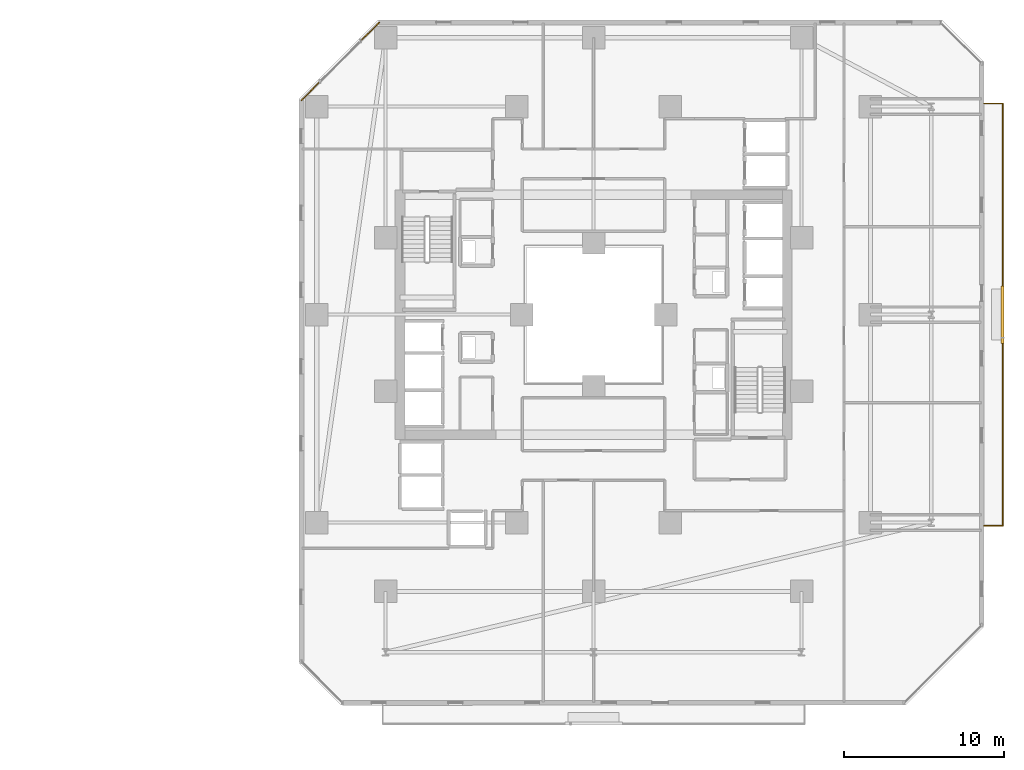
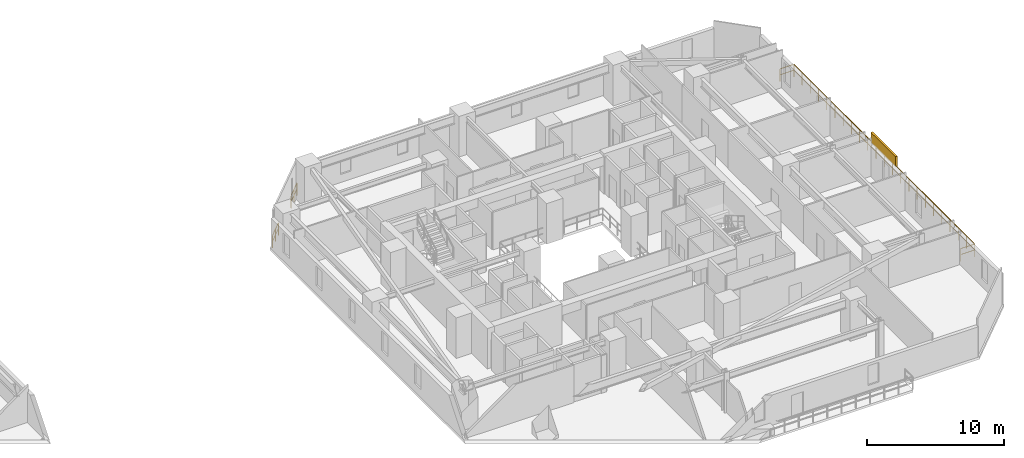
# One storey, part 33 of 33: 3 railings, 1 shading device.
"""IFC4 building model written with IfcOpenShell, lengths in metres."""

from ifc_helpers import new_model, si_unit, direction, frame, origin, origin_2d, place, context, subcontext, project, spatial, rectangle, extrude, material, type_object, element, save


model = new_model("IFC4")

# Units and contexts
model_context = context("Model", 3, precision=1e-05, world=origin(), true_north=direction((0.0, 1.0)))
body_context = subcontext(model_context, "Body", "Model", "MODEL_VIEW")
ifc_project = project(units=[si_unit("LENGTHUNIT", "METRE"), si_unit("AREAUNIT", "SQUARE_METRE"), si_unit("VOLUMEUNIT", "CUBIC_METRE"), si_unit("PLANEANGLEUNIT", "RADIAN"), si_unit("MASSUNIT", "GRAM", prefix="KILO")], contexts=[model_context])

# Site, building, storey
site_placement = place(None, origin())
site = spatial("IfcSite", under=ifc_project, at=site_placement, CompositionType="ELEMENT")
building_placement = place(site_placement, origin())
building = spatial("IfcBuilding", under=site, at=building_placement, Name="Thornwick Lancets Civic Towers", CompositionType="ELEMENT")
storey_placement = place(building_placement, frame((0.0, 0.0, 42.300048828125)))
storey = spatial("IfcBuildingStorey", under=building, at=storey_placement, Name="L10", CompositionType="ELEMENT", Elevation=42.300048828125)

# Railings
ifc_material_1 = material(Name="Terracotta-capped laminated glass balustrade S355", Category="masonry")
railing_type = type_object("IfcRailingType", Name="RAIL_TERR_GUARD", PredefinedType="GUARDRAIL", material=ifc_material_1)
for number, where, name in (
    (1, (75.100830078125, 45.257568359375, 0.0), "L10 Tower B Chamfer Spandrel Guard E5-1"),
    (2, (71.405517578125, 41.562255859375, 0.0), "L10 Tower B Chamfer Spandrel Guard E5-2"),
):
    element("IfcRailing", number, at=place(storey_placement, frame(where)), inside=storey, type_object=railing_type, Name=name, PredefinedType="GUARDRAIL", context=body_context, shape_type="SweptSolid", body=[
        extrude(rectangle(XDim=0.048095703125, YDim=0.048095703125, at=origin_2d()), frame((0.0, 0.0, 1.1259765625), z_axis=(-0.707106781187, -0.707106781187, 0.0), x_axis=(0.707106781187, -0.707106781187, 0.0)), (0.0, 0.0, 1.0), 1.644775390625),
        extrude(rectangle(XDim=0.0419921875, YDim=0.0419921875, at=origin_2d()), frame((-0.026611328125, -0.026611328125, 0.597900390625), z_axis=(-0.707106781187, -0.707106781187, 0.0), x_axis=(0.707106781187, -0.707106781187, 0.0)), (0.0, 0.0, 1.0), 0.74755859375),
        extrude(rectangle(XDim=0.0419921875, YDim=0.0419921875, at=origin_2d()), frame((-0.608154296875, -0.608154296875, 0.597900390625), z_axis=(-0.707106781187, -0.707106781187, 0.0), x_axis=(0.707106781187, -0.707106781187, 0.0)), (0.0, 0.0, 1.0), 0.74755859375),
        extrude(rectangle(XDim=0.0419921875, YDim=0.0419921875, at=origin_2d()), origin(), (0.0, 0.0, 1.0), 1.095703125),
        extrude(rectangle(XDim=0.0419921875, YDim=0.0419921875, at=origin_2d()), frame((-0.58154296875, -0.58154296875, 0.0)), (0.0, 0.0, 1.0), 1.095703125),
        extrude(rectangle(XDim=0.0419921875, YDim=0.0419921875, at=origin_2d()), frame((-1.1630859375, -1.1630859375, 0.0)), (0.0, 0.0, 1.0), 1.095703125),
    ])
railing_placement = place(storey_placement, frame((112.89990234375, 13.800048828125, 0.0)))
element("IfcRailing", 3, at=railing_placement, inside=storey, type_object=railing_type, Name="L10 Tower B Balcony Guard E", PredefinedType="GUARDRAIL", context=body_context, shape_type="SweptSolid", body=[
    extrude(rectangle(XDim=0.048095703125, YDim=0.048095703125, at=origin_2d()), frame((0.0, 0.0, 1.1259765625), z_axis=(1.0, 0.0, 0.0), x_axis=(0.0, 1.0, 0.0)), (0.0, 0.0, 1.0), 1.138916015625),
    extrude(rectangle(XDim=0.0419921875, YDim=0.0419921875, at=origin_2d()), frame((0.03759765625, 0.0, 0.597900390625), z_axis=(1.0, 0.0, 0.0), x_axis=(0.0, 1.0, 0.0)), (0.0, 0.0, 1.0), 1.09521484375),
    extrude(rectangle(XDim=0.048095703125, YDim=0.048095703125, at=origin_2d()), frame((1.170166015625, 0.03125, 1.1259765625), z_axis=(0.0, 1.0, 0.0), x_axis=(-1.0, 0.0, 0.0)), (0.0, 0.0, 1.0), 26.33740234375),
    extrude(rectangle(XDim=0.0419921875, YDim=0.0419921875, at=origin_2d()), frame((1.170166015625, 0.03759765625, 0.597900390625), z_axis=(0.0, 1.0, 0.0), x_axis=(-1.0, 0.0, 0.0)), (0.0, 0.0, 1.0), 1.125),
    extrude(rectangle(XDim=0.0419921875, YDim=0.0419921875, at=origin_2d()), frame((1.170166015625, 1.237548828125, 0.597900390625), z_axis=(0.0, 1.0, 0.0), x_axis=(-1.0, 0.0, 0.0)), (0.0, 0.0, 1.0), 1.125),
    extrude(rectangle(XDim=0.0419921875, YDim=0.0419921875, at=origin_2d()), frame((1.170166015625, 2.4375, 0.597900390625), z_axis=(0.0, 1.0, 0.0), x_axis=(-1.0, 0.0, 0.0)), (0.0, 0.0, 1.0), 1.125),
    extrude(rectangle(XDim=0.0419921875, YDim=0.0419921875, at=origin_2d()), frame((1.170166015625, 3.637451171875, 0.597900390625), z_axis=(0.0, 1.0, 0.0), x_axis=(-1.0, 0.0, 0.0)), (0.0, 0.0, 1.0), 1.125),
    extrude(rectangle(XDim=0.0419921875, YDim=0.0419921875, at=origin_2d()), frame((1.170166015625, 4.83740234375, 0.597900390625), z_axis=(0.0, 1.0, 0.0), x_axis=(-1.0, 0.0, 0.0)), (0.0, 0.0, 1.0), 1.125),
    extrude(rectangle(XDim=0.0419921875, YDim=0.0419921875, at=origin_2d()), frame((1.170166015625, 6.037353515625, 0.597900390625), z_axis=(0.0, 1.0, 0.0), x_axis=(-1.0, 0.0, 0.0)), (0.0, 0.0, 1.0), 1.125),
    extrude(rectangle(XDim=0.0419921875, YDim=0.0419921875, at=origin_2d()), frame((1.170166015625, 7.237548828125, 0.597900390625), z_axis=(0.0, 1.0, 0.0), x_axis=(-1.0, 0.0, 0.0)), (0.0, 0.0, 1.0), 1.125),
    extrude(rectangle(XDim=0.0419921875, YDim=0.0419921875, at=origin_2d()), frame((1.170166015625, 8.4375, 0.597900390625), z_axis=(0.0, 1.0, 0.0), x_axis=(-1.0, 0.0, 0.0)), (0.0, 0.0, 1.0), 1.125),
    extrude(rectangle(XDim=0.0419921875, YDim=0.0419921875, at=origin_2d()), frame((1.170166015625, 9.637451171875, 0.597900390625), z_axis=(0.0, 1.0, 0.0), x_axis=(-1.0, 0.0, 0.0)), (0.0, 0.0, 1.0), 1.125),
    extrude(rectangle(XDim=0.0419921875, YDim=0.0419921875, at=origin_2d()), frame((1.170166015625, 10.83740234375, 0.597900390625), z_axis=(0.0, 1.0, 0.0), x_axis=(-1.0, 0.0, 0.0)), (0.0, 0.0, 1.0), 1.125),
    extrude(rectangle(XDim=0.0419921875, YDim=0.0419921875, at=origin_2d()), frame((1.170166015625, 12.037353515625, 0.597900390625), z_axis=(0.0, 1.0, 0.0), x_axis=(-1.0, 0.0, 0.0)), (0.0, 0.0, 1.0), 1.125),
    extrude(rectangle(XDim=0.0419921875, YDim=0.0419921875, at=origin_2d()), frame((1.170166015625, 13.237548828125, 0.597900390625), z_axis=(0.0, 1.0, 0.0), x_axis=(-1.0, 0.0, 0.0)), (0.0, 0.0, 1.0), 1.125),
    extrude(rectangle(XDim=0.0419921875, YDim=0.0419921875, at=origin_2d()), frame((1.170166015625, 14.4375, 0.597900390625), z_axis=(0.0, 1.0, 0.0), x_axis=(-1.0, 0.0, 0.0)), (0.0, 0.0, 1.0), 1.125),
    extrude(rectangle(XDim=0.0419921875, YDim=0.0419921875, at=origin_2d()), frame((1.170166015625, 15.637451171875, 0.597900390625), z_axis=(0.0, 1.0, 0.0), x_axis=(-1.0, 0.0, 0.0)), (0.0, 0.0, 1.0), 1.125),
    extrude(rectangle(XDim=0.0419921875, YDim=0.0419921875, at=origin_2d()), frame((1.170166015625, 16.83740234375, 0.597900390625), z_axis=(0.0, 1.0, 0.0), x_axis=(-1.0, 0.0, 0.0)), (0.0, 0.0, 1.0), 1.125),
    extrude(rectangle(XDim=0.0419921875, YDim=0.0419921875, at=origin_2d()), frame((1.170166015625, 18.037353515625, 0.597900390625), z_axis=(0.0, 1.0, 0.0), x_axis=(-1.0, 0.0, 0.0)), (0.0, 0.0, 1.0), 1.125),
    extrude(rectangle(XDim=0.0419921875, YDim=0.0419921875, at=origin_2d()), frame((1.170166015625, 19.2373046875, 0.597900390625), z_axis=(0.0, 1.0, 0.0), x_axis=(-1.0, 0.0, 0.0)), (0.0, 0.0, 1.0), 1.125),
    extrude(rectangle(XDim=0.0419921875, YDim=0.0419921875, at=origin_2d()), frame((1.170166015625, 20.4375, 0.597900390625), z_axis=(0.0, 1.0, 0.0), x_axis=(-1.0, 0.0, 0.0)), (0.0, 0.0, 1.0), 1.125),
    extrude(rectangle(XDim=0.0419921875, YDim=0.0419921875, at=origin_2d()), frame((1.170166015625, 21.637451171875, 0.597900390625), z_axis=(0.0, 1.0, 0.0), x_axis=(-1.0, 0.0, 0.0)), (0.0, 0.0, 1.0), 1.125),
    extrude(rectangle(XDim=0.0419921875, YDim=0.0419921875, at=origin_2d()), frame((1.170166015625, 22.83740234375, 0.597900390625), z_axis=(0.0, 1.0, 0.0), x_axis=(-1.0, 0.0, 0.0)), (0.0, 0.0, 1.0), 1.125),
    extrude(rectangle(XDim=0.0419921875, YDim=0.0419921875, at=origin_2d()), frame((1.170166015625, 24.037353515625, 0.597900390625), z_axis=(0.0, 1.0, 0.0), x_axis=(-1.0, 0.0, 0.0)), (0.0, 0.0, 1.0), 1.125),
    extrude(rectangle(XDim=0.0419921875, YDim=0.0419921875, at=origin_2d()), frame((1.170166015625, 25.2373046875, 0.597900390625), z_axis=(0.0, 1.0, 0.0), x_axis=(-1.0, 0.0, 0.0)), (0.0, 0.0, 1.0), 1.125),
    extrude(rectangle(XDim=0.048095703125, YDim=0.048095703125, at=origin_2d()), frame((1.138916015625, 26.39990234375, 1.1259765625), z_axis=(-1.0, 0.0, 0.0), x_axis=(0.0, -1.0, 0.0)), (0.0, 0.0, 1.0), 1.138916015625),
    extrude(rectangle(XDim=0.0419921875, YDim=0.0419921875, at=origin_2d()), frame((1.132568359375, 26.39990234375, 0.597900390625), z_axis=(-1.0, 0.0, 0.0), x_axis=(0.0, -1.0, 0.0)), (0.0, 0.0, 1.0), 1.09521484375),
    extrude(rectangle(XDim=0.0419921875, YDim=0.0419921875, at=origin_2d()), origin(), (0.0, 0.0, 1.0), 1.095703125),
    extrude(rectangle(XDim=0.0419921875, YDim=0.0419921875, at=origin_2d()), frame((1.170166015625, 0.0, 0.0)), (0.0, 0.0, 1.0), 1.095703125),
    extrude(rectangle(XDim=0.0419921875, YDim=0.0419921875, at=origin_2d()), frame((1.170166015625, 1.199951171875, 0.0)), (0.0, 0.0, 1.0), 1.095703125),
    extrude(rectangle(XDim=0.0419921875, YDim=0.0419921875, at=origin_2d()), frame((1.170166015625, 2.39990234375, 0.0)), (0.0, 0.0, 1.0), 1.095703125),
    extrude(rectangle(XDim=0.0419921875, YDim=0.0419921875, at=origin_2d()), frame((1.170166015625, 3.60009765625, 0.0)), (0.0, 0.0, 1.0), 1.095703125),
    extrude(rectangle(XDim=0.0419921875, YDim=0.0419921875, at=origin_2d()), frame((1.170166015625, 4.800048828125, 0.0)), (0.0, 0.0, 1.0), 1.095703125),
    extrude(rectangle(XDim=0.0419921875, YDim=0.0419921875, at=origin_2d()), frame((1.170166015625, 6.0, 0.0)), (0.0, 0.0, 1.0), 1.095703125),
    extrude(rectangle(XDim=0.0419921875, YDim=0.0419921875, at=origin_2d()), frame((1.170166015625, 7.199951171875, 0.0)), (0.0, 0.0, 1.0), 1.095703125),
    extrude(rectangle(XDim=0.0419921875, YDim=0.0419921875, at=origin_2d()), frame((1.170166015625, 8.39990234375, 0.0)), (0.0, 0.0, 1.0), 1.095703125),
    extrude(rectangle(XDim=0.0419921875, YDim=0.0419921875, at=origin_2d()), frame((1.170166015625, 9.599853515625, 0.0)), (0.0, 0.0, 1.0), 1.095703125),
    extrude(rectangle(XDim=0.0419921875, YDim=0.0419921875, at=origin_2d()), frame((1.170166015625, 10.800048828125, 0.0)), (0.0, 0.0, 1.0), 1.095703125),
    extrude(rectangle(XDim=0.0419921875, YDim=0.0419921875, at=origin_2d()), frame((1.170166015625, 12.0, 0.0)), (0.0, 0.0, 1.0), 1.095703125),
    extrude(rectangle(XDim=0.0419921875, YDim=0.0419921875, at=origin_2d()), frame((1.170166015625, 13.199951171875, 0.0)), (0.0, 0.0, 1.0), 1.095703125),
    extrude(rectangle(XDim=0.0419921875, YDim=0.0419921875, at=origin_2d()), frame((1.170166015625, 14.39990234375, 0.0)), (0.0, 0.0, 1.0), 1.095703125),
    extrude(rectangle(XDim=0.0419921875, YDim=0.0419921875, at=origin_2d()), frame((1.170166015625, 15.599853515625, 0.0)), (0.0, 0.0, 1.0), 1.095703125),
    extrude(rectangle(XDim=0.0419921875, YDim=0.0419921875, at=origin_2d()), frame((1.170166015625, 16.800048828125, 0.0)), (0.0, 0.0, 1.0), 1.095703125),
    extrude(rectangle(XDim=0.0419921875, YDim=0.0419921875, at=origin_2d()), frame((1.170166015625, 18.0, 0.0)), (0.0, 0.0, 1.0), 1.095703125),
    extrude(rectangle(XDim=0.0419921875, YDim=0.0419921875, at=origin_2d()), frame((1.170166015625, 19.199951171875, 0.0)), (0.0, 0.0, 1.0), 1.095703125),
    extrude(rectangle(XDim=0.0419921875, YDim=0.0419921875, at=origin_2d()), frame((1.170166015625, 20.39990234375, 0.0)), (0.0, 0.0, 1.0), 1.095703125),
    extrude(rectangle(XDim=0.0419921875, YDim=0.0419921875, at=origin_2d()), frame((1.170166015625, 21.599853515625, 0.0)), (0.0, 0.0, 1.0), 1.095703125),
    extrude(rectangle(XDim=0.0419921875, YDim=0.0419921875, at=origin_2d()), frame((1.170166015625, 22.7998046875, 0.0)), (0.0, 0.0, 1.0), 1.095703125),
    extrude(rectangle(XDim=0.0419921875, YDim=0.0419921875, at=origin_2d()), frame((1.170166015625, 24.0, 0.0)), (0.0, 0.0, 1.0), 1.095703125),
    extrude(rectangle(XDim=0.0419921875, YDim=0.0419921875, at=origin_2d()), frame((1.170166015625, 25.199951171875, 0.0)), (0.0, 0.0, 1.0), 1.095703125),
    extrude(rectangle(XDim=0.0419921875, YDim=0.0419921875, at=origin_2d()), frame((1.170166015625, 26.39990234375, 0.0)), (0.0, 0.0, 1.0), 1.095703125),
    extrude(rectangle(XDim=0.0419921875, YDim=0.0419921875, at=origin_2d()), frame((0.0, 26.39990234375, 0.0)), (0.0, 0.0, 1.0), 1.095703125),
])

# Shading device
ifc_material_2 = material(Name="Extruded terracotta baguette solar screen", Category="masonry")
shading_device_type = type_object("IfcShadingDeviceType", Name="SHADE_BAGUETTE", PredefinedType="JALOUSIE", material=ifc_material_2)
shading_device_placement = place(storey_placement, frame((114.06005859375, 27.0, 1.1201171875), z_axis=(0.0, 0.0, 1.0), x_axis=(0.0, 1.0, 0.0)))
element("IfcShadingDevice", 4, at=shading_device_placement, inside=storey, type_object=shading_device_type, Name="L10 Tower B Terracotta Baguette Screen E", PredefinedType="JALOUSIE", context=body_context, shape_type="SweptSolid", body=[
    extrude(rectangle(XDim=3.60009765625, YDim=0.179931640625, at=origin_2d()), origin(), (0.0, 0.0, 1.0), 0.89990234375),
])

save(model, "model.ifc")
